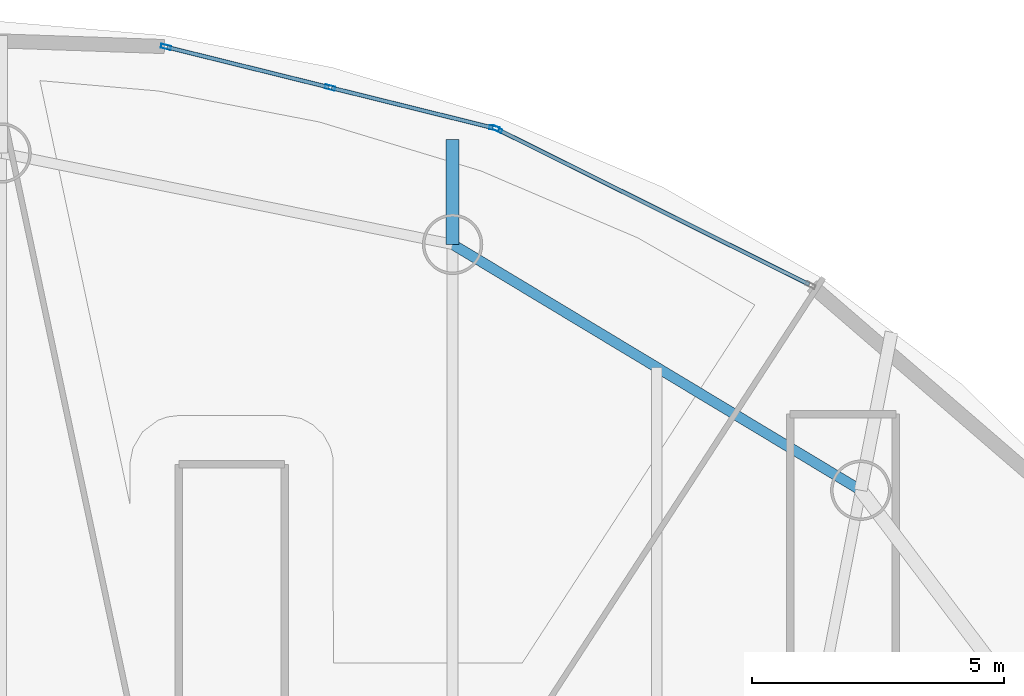
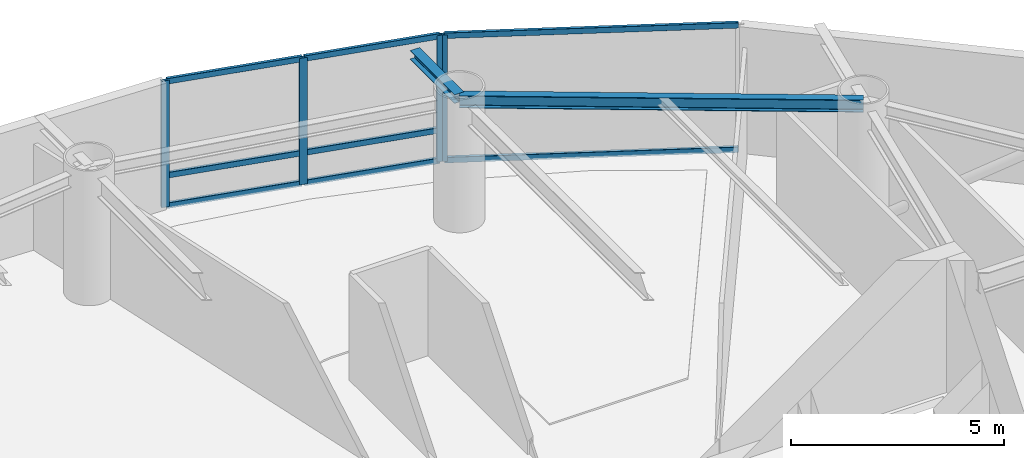
# One storey, part 13 of 22: 12 members, 2 beams, 2 elements without a shape of their own.
"""IFC4 building model written with IfcOpenShell, lengths in metres."""

from ifc_helpers import new_model, si_unit, direction, frame, origin, origin_2d, place, context, subcontext, project, spatial, hollow_rectangle, i_section, extrude, material, layer, layer_set, material_profile, profile_set, type_object, element, aggregate, save


model = new_model("IFC4")

# Units and contexts
model_context = context("Model", 3, precision=1e-05, world=origin(), true_north=direction((0.0, 1.0)))
body_context = subcontext(model_context, "Body", "Model", "MODEL_VIEW")
ifc_project = project(units=[si_unit("LENGTHUNIT", "METRE"), si_unit("AREAUNIT", "SQUARE_METRE"), si_unit("VOLUMEUNIT", "CUBIC_METRE"), si_unit("PLANEANGLEUNIT", "RADIAN"), si_unit("MASSUNIT", "GRAM", prefix="KILO")], contexts=[model_context])

# Site, building, storey
site_placement = place(None, origin())
site = spatial("IfcSite", under=ifc_project, at=site_placement, CompositionType="ELEMENT")
building_placement = place(site_placement, origin())
building = spatial("IfcBuilding", under=site, at=building_placement, Name="Bramvorn Convention Spire", CompositionType="ELEMENT")
storey_placement = place(building_placement, frame((0.0, 0.0, 225.10009765625)))
storey = spatial("IfcBuildingStorey", under=building, at=storey_placement, Name="L57", CompositionType="ELEMENT", Elevation=225.10009765625)

# Beams
ifc_material_1 = material(Name="Steel CSA G40.21 Grade 350 (350W)", Category="steel")
ifc_material_profile_1 = material_profile(ifc_material_1, i_section(OverallWidth=0.25390625, OverallDepth=0.2529296875, WebThickness=0.008544921875, FlangeThickness=0.01416015625, FilletRadius=0.011962890625, at=origin_2d()))
ifc_profile_set_1 = profile_set([ifc_material_profile_1], Name="Steel CSA G40.21 Grade 350 (350W) - W250X73")
beam_type_1 = type_object("IfcBeamType", Name="BM-W250X73", PredefinedType="BEAM", material=ifc_profile_set_1)
beam_1_placement = place(storey_placement, frame((42.38916015625, 44.772216796875, 3.493408203125), z_axis=(0.0, 1.0, 0.0), x_axis=(-1.0, 0.0, 0.0)))
element("IfcBeam", 1, at=beam_1_placement, inside=storey, type_object=beam_type_1, Name="L57 slab-edge cantilever tip beam MC06", PredefinedType="BEAM", context=body_context, shape_type="SweptSolid", body=[
    extrude(i_section(OverallWidth=0.25390625, OverallDepth=0.2529296875, WebThickness=0.008544921875, FlangeThickness=0.01416015625, FilletRadius=0.011962890625, at=origin_2d()), origin(), (0.0, 0.0, 1.0), 2.0859375),
])
ifc_material_profile_2 = material_profile(ifc_material_1, i_section(OverallWidth=0.205078125, OverallDepth=0.35400390625, WebThickness=0.009521484375, FlangeThickness=0.016845703125, FilletRadius=0.014892578125, at=origin_2d()))
ifc_profile_set_2 = profile_set([ifc_material_profile_2], Name="Steel CSA G40.21 Grade 350 (350W) - W360X79")
beam_type_2 = type_object("IfcBeamType", Name="BM-W360X79", PredefinedType="JOIST", material=ifc_profile_set_2)
beam_2_placement = place(storey_placement, frame((50.501953125, 39.885009765625, 3.44287109375), z_axis=(-0.856581795745, 0.516011266543, 0.0), x_axis=(-0.516011266543, -0.856581795745, 0.0)))
element("IfcBeam", 2, at=beam_2_placement, inside=storey, type_object=beam_type_2, Name="L57 mega-column ring beam 05", PredefinedType="JOIST", context=body_context, shape_type="SweptSolid", body=[
    extrude(i_section(OverallWidth=0.205078125, OverallDepth=0.35400390625, WebThickness=0.009521484375, FlangeThickness=0.016845703125, FilletRadius=0.014892578125, at=origin_2d()), origin(), (0.0, 0.0, 1.0), 9.47119140625),
])

# Curtain wall, member
ifc_material_2 = material(Name="Anodised Bronze Unitised Curtain Wall", Category="aluminium")
ifc_layer = layer(ifc_material_2, 0.179931640625)
ifc_layer_set = layer_set([ifc_layer], Name="Anodised Bronze Unitised Curtain Wall - CW-OFF-FRIT")
curtain_wall_type = type_object("IfcCurtainWallType", Name="CW-OFF-FRIT", PredefinedType="USERDEFINED", material=ifc_layer_set)
curtain_wall_1_placement = place(storey_placement, origin())
curtain_wall_1 = element("IfcCurtainWall", 3, at=curtain_wall_1_placement, inside=storey, type_object=curtain_wall_type, Name="L57 fritted glass curtain wall 08", ObjectType="UNITISED CURTAIN WALL", PredefinedType="USERDEFINED")
ifc_material_3 = material(Name="Anodised Bronze Aluminium 6063-T6", Category="aluminium")
ifc_material_profile_3 = material_profile(ifc_material_3, hollow_rectangle(XDim=0.080078125, YDim=0.199951171875, WallThickness=0.00390625, InnerFilletRadius=0.0009765625, OuterFilletRadius=0.00390625, at=origin_2d()))
ifc_profile_set_3 = profile_set([ifc_material_profile_3], Name="Anodised Bronze Aluminium 6063-T6 - CWM80X200")
member_type_1 = type_object("IfcMemberType", Name="CW-MUL-180", PredefinedType="MULLION", material=ifc_profile_set_3)
member_1_placement = place(storey_placement, frame((43.275146484375, 47.060302734375, 0.0), z_axis=(0.0, 0.0, 1.0), x_axis=(0.445559865686, 0.895252146654, 0.0)))
member_1 = element("IfcMember", 4, at=member_1_placement, type_object=member_type_1, Name="CW3 mullion 1", PredefinedType="MULLION", context=body_context, shape_type="SweptSolid", body=[
    extrude(hollow_rectangle(XDim=0.080078125, YDim=0.199951171875, WallThickness=0.00390625, InnerFilletRadius=0.0009765625, OuterFilletRadius=0.00390625, at=origin_2d()), origin(), (0.0, 0.0, 1.0), 3.619873046875),
])

# Curtain wall, members
curtain_wall_2_placement = place(storey_placement, origin())
curtain_wall_2 = element("IfcCurtainWall", 5, at=curtain_wall_2_placement, inside=storey, type_object=curtain_wall_type, Name="L57 fritted glass curtain wall 09", ObjectType="UNITISED CURTAIN WALL", PredefinedType="USERDEFINED")
member_2_placement = place(storey_placement, frame((36.69140625, 48.69580078125, 0.0), z_axis=(0.0, 0.0, 1.0), x_axis=(0.240180059573, 0.970728354888, 0.0)))
member_2 = element("IfcMember", 6, at=member_2_placement, type_object=member_type_1, Name="CW3 mullion 1", PredefinedType="MULLION", context=body_context, shape_type="SweptSolid", body=[
    extrude(hollow_rectangle(XDim=0.080078125, YDim=0.199951171875, WallThickness=0.00390625, InnerFilletRadius=0.0009765625, OuterFilletRadius=0.00390625, at=origin_2d()), origin(), (0.0, 0.0, 1.0), 3.619873046875),
])
member_3_placement = place(storey_placement, frame((39.955322265625, 47.888427734375, 0.0), z_axis=(0.0, 0.0, 1.0), x_axis=(0.240180059573, 0.970728354888, 0.0)))
member_3 = element("IfcMember", 7, at=member_3_placement, type_object=member_type_1, Name="CW3 mullion 2", PredefinedType="MULLION", context=body_context, shape_type="SweptSolid", body=[
    extrude(hollow_rectangle(XDim=0.080078125, YDim=0.199951171875, WallThickness=0.00390625, InnerFilletRadius=0.0009765625, OuterFilletRadius=0.00390625, at=origin_2d()), origin(), (0.0, 0.0, 1.0), 3.619873046875),
])
member_4_placement = place(storey_placement, frame((43.218994140625, 47.080810546875, 0.0), z_axis=(0.0, 0.0, 1.0), x_axis=(0.240180059573, 0.970728354888, 0.0)))
member_4 = element("IfcMember", 8, at=member_4_placement, type_object=member_type_1, Name="CW3 mullion 3", PredefinedType="MULLION", context=body_context, shape_type="SweptSolid", body=[
    extrude(hollow_rectangle(XDim=0.080078125, YDim=0.199951171875, WallThickness=0.00390625, InnerFilletRadius=0.0009765625, OuterFilletRadius=0.00390625, at=origin_2d()), origin(), (0.0, 0.0, 1.0), 3.619873046875),
])

# Member
ifc_material_profile_4 = material_profile(ifc_material_3, hollow_rectangle(XDim=0.080078125, YDim=0.159912109375, WallThickness=0.00390625, InnerFilletRadius=0.0009765625, OuterFilletRadius=0.00390625, at=origin_2d()))
ifc_profile_set_4 = profile_set([ifc_material_profile_4], Name="Anodised Bronze Aluminium 6063-T6 - CWT80X160")
member_type_2 = type_object("IfcMemberType", Name="CW-TRN-150", PredefinedType="USERDEFINED", material=ifc_profile_set_4)
member_5_placement = place(storey_placement, frame((43.302001953125, 47.046875, 0.02978515625), z_axis=(0.895253907619, -0.445556327407, 0.0), x_axis=(0.445556327407, 0.895253907619, 0.0)))
member_5 = element("IfcMember", 9, at=member_5_placement, type_object=member_type_2, Name="CW3 transom 1.1", ObjectType="TRANSOM", PredefinedType="USERDEFINED", context=body_context, shape_type="SweptSolid", body=[
    extrude(hollow_rectangle(XDim=0.080078125, YDim=0.159912109375, WallThickness=0.00390625, InnerFilletRadius=0.0009765625, OuterFilletRadius=0.00390625, at=origin_2d()), origin(), (0.0, 0.0, 1.0), 6.8974609375),
])

member_6_placement = place(storey_placement, frame((43.302001953125, 47.046875, 3.58984375), z_axis=(0.895253907619, -0.445556327407, 0.0), x_axis=(0.445556327407, 0.895253907619, 0.0)))
member_6 = element("IfcMember", 10, at=member_6_placement, type_object=member_type_2, Name="CW3 transom 1.2", ObjectType="TRANSOM", PredefinedType="USERDEFINED", context=body_context, shape_type="SweptSolid", body=[
    extrude(hollow_rectangle(XDim=0.080078125, YDim=0.159912109375, WallThickness=0.00390625, InnerFilletRadius=0.0009765625, OuterFilletRadius=0.00390625, at=origin_2d()), origin(), (0.0, 0.0, 1.0), 6.8974609375),
])

aggregate(curtain_wall_1, [member_1, member_5, member_6])

member_7_placement = place(storey_placement, frame((36.720458984375, 48.688720703125, 0.02978515625), z_axis=(0.97072245499, -0.240203903752, 0.0), x_axis=(0.240203903752, 0.97072245499, 0.0)))
member_7 = element("IfcMember", 11, at=member_7_placement, type_object=member_type_2, Name="CW3 transom 1.1", ObjectType="TRANSOM", PredefinedType="USERDEFINED", context=body_context, shape_type="SweptSolid", body=[
    extrude(hollow_rectangle(XDim=0.080078125, YDim=0.159912109375, WallThickness=0.00390625, InnerFilletRadius=0.0009765625, OuterFilletRadius=0.00390625, at=origin_2d()), origin(), (0.0, 0.0, 1.0), 3.30224609375),
])

member_8_placement = place(storey_placement, frame((36.720458984375, 48.688720703125, 0.89990234375), z_axis=(0.97072245499, -0.240203903752, 0.0), x_axis=(0.240203903752, 0.97072245499, 0.0)))
member_8 = element("IfcMember", 12, at=member_8_placement, type_object=member_type_2, Name="CW3 transom 1.2", ObjectType="TRANSOM", PredefinedType="USERDEFINED", context=body_context, shape_type="SweptSolid", body=[
    extrude(hollow_rectangle(XDim=0.080078125, YDim=0.159912109375, WallThickness=0.00390625, InnerFilletRadius=0.0009765625, OuterFilletRadius=0.00390625, at=origin_2d()), origin(), (0.0, 0.0, 1.0), 3.30224609375),
])

member_9_placement = place(storey_placement, frame((36.720458984375, 48.688720703125, 3.58984375), z_axis=(0.97072245499, -0.240203903752, 0.0), x_axis=(0.240203903752, 0.97072245499, 0.0)))
member_9 = element("IfcMember", 13, at=member_9_placement, type_object=member_type_2, Name="CW3 transom 1.3", ObjectType="TRANSOM", PredefinedType="USERDEFINED", context=body_context, shape_type="SweptSolid", body=[
    extrude(hollow_rectangle(XDim=0.080078125, YDim=0.159912109375, WallThickness=0.00390625, InnerFilletRadius=0.0009765625, OuterFilletRadius=0.00390625, at=origin_2d()), origin(), (0.0, 0.0, 1.0), 3.30224609375),
])

member_10_placement = place(storey_placement, frame((39.984375, 47.881103515625, 0.02978515625), z_axis=(0.97072245499, -0.240203903752, 0.0), x_axis=(0.240203903752, 0.97072245499, 0.0)))
member_10 = element("IfcMember", 14, at=member_10_placement, type_object=member_type_2, Name="CW3 transom 2.1", ObjectType="TRANSOM", PredefinedType="USERDEFINED", context=body_context, shape_type="SweptSolid", body=[
    extrude(hollow_rectangle(XDim=0.080078125, YDim=0.159912109375, WallThickness=0.00390625, InnerFilletRadius=0.0009765625, OuterFilletRadius=0.00390625, at=origin_2d()), origin(), (0.0, 0.0, 1.0), 3.30224609375),
])

member_11_placement = place(storey_placement, frame((39.984375, 47.881103515625, 0.89990234375), z_axis=(0.97072245499, -0.240203903752, 0.0), x_axis=(0.240203903752, 0.97072245499, 0.0)))
member_11 = element("IfcMember", 15, at=member_11_placement, type_object=member_type_2, Name="CW3 transom 2.2", ObjectType="TRANSOM", PredefinedType="USERDEFINED", context=body_context, shape_type="SweptSolid", body=[
    extrude(hollow_rectangle(XDim=0.080078125, YDim=0.159912109375, WallThickness=0.00390625, InnerFilletRadius=0.0009765625, OuterFilletRadius=0.00390625, at=origin_2d()), origin(), (0.0, 0.0, 1.0), 3.30224609375),
])

member_12_placement = place(storey_placement, frame((39.984375, 47.881103515625, 3.58984375), z_axis=(0.97072245499, -0.240203903752, 0.0), x_axis=(0.240203903752, 0.97072245499, 0.0)))
member_12 = element("IfcMember", 16, at=member_12_placement, type_object=member_type_2, Name="CW3 transom 2.3", ObjectType="TRANSOM", PredefinedType="USERDEFINED", context=body_context, shape_type="SweptSolid", body=[
    extrude(hollow_rectangle(XDim=0.080078125, YDim=0.159912109375, WallThickness=0.00390625, InnerFilletRadius=0.0009765625, OuterFilletRadius=0.00390625, at=origin_2d()), origin(), (0.0, 0.0, 1.0), 3.30224609375),
])

aggregate(curtain_wall_2, [member_2, member_3, member_4, member_7, member_8, member_9, member_10, member_11, member_12])

save(model, "model.ifc")
